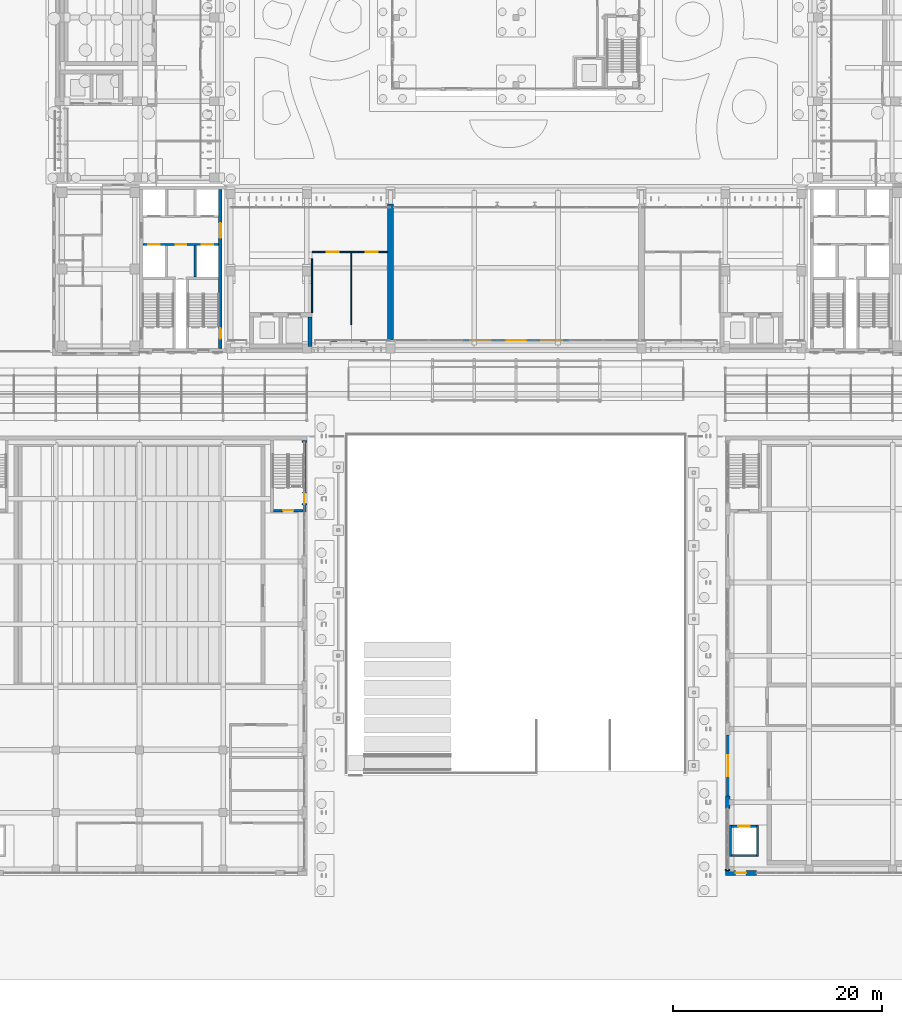
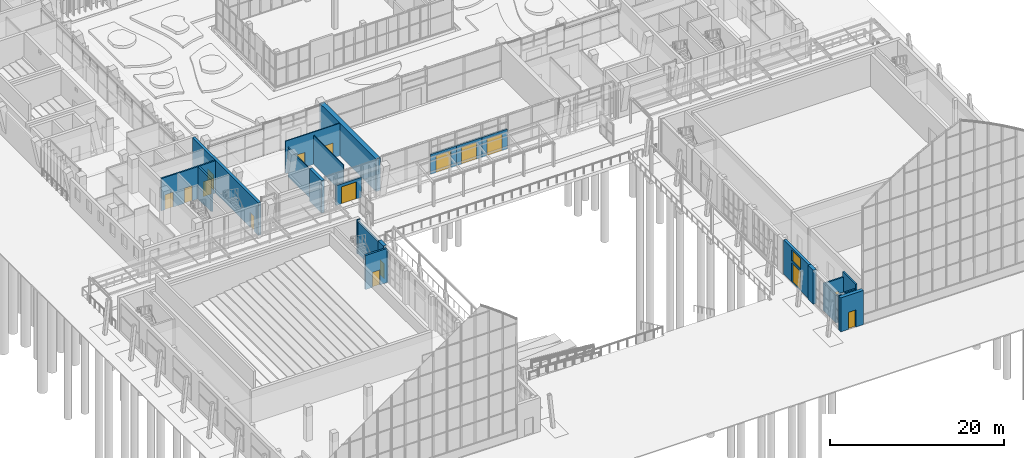
# One storey, part 104 of 144: 25 walls, 16 doors, 1 window, 17 openings.
"""IFC4 building model written with IfcOpenShell, lengths in metres."""

import ifcopenshell
import ifcopenshell.guid

model = None  # the IFC model being written
_history = None  # IfcOwnerHistory: only IFC2X3 demands one
_inside = {}  # id of a spatial element -> (the spatial element, [elements in it])
_under = {}  # id of a project, library or spatial element -> (it, [spatial elements below it])
_declared = {}  # id of a project -> (the project, [libraries it declares])
_typed = {}  # id of a type object -> (the type object, [elements of that type])
_made_of = {}  # id of a material, layer set ... -> (it, [elements and type objects made of it])


def new_model(schema):
    """Start an empty IFC model of exactly this schema.

    Asked for "IFC4X3", IfcOpenShell would pick the latest addendum, in which some entities
    have other attributes; the version numbers below select the first issue.
    IFC2X3 requires an IfcOwnerHistory on every rooted entity: one is made here for all.
    """
    global model, _history
    if schema == "IFC4X3":
        model = ifcopenshell.file(schema_version=(4, 3, 0, 0))
    else:
        model = ifcopenshell.file(schema=schema)
    _inside.clear()
    _under.clear()
    _declared.clear()
    _typed.clear()
    _made_of.clear()
    _history = None
    if model.schema == "IFC2X3":
        org = make("IfcOrganization", Name="unknown")
        user = make(
            "IfcPersonAndOrganization",
            ThePerson=make("IfcPerson", FamilyName="unknown"),
            TheOrganization=org,
        )
        app = make(
            "IfcApplication",
            ApplicationDeveloper=org,
            Version="unknown",
            ApplicationFullName="unknown",
            ApplicationIdentifier="unknown",
        )
        _history = make(
            "IfcOwnerHistory",
            OwningUser=user,
            OwningApplication=app,
            ChangeAction="ADDED",
            CreationDate=0,
        )
    return model


def make(cls, **values):
    """One entity of the class cls with the attributes given. An attribute that is None is left unset."""
    return model.create_entity(
        cls, **{name: value for name, value in values.items() if value is not None}
    )


def rooted(cls, **values):
    """An entity with a GlobalId (a new one), such as an element, a storey or a relation."""
    return make(cls, GlobalId=ifcopenshell.guid.new(), OwnerHistory=_history, **values)


def si_unit(unit_type, name, prefix=None):
    """IfcSIUnit, for example si_unit("LENGTHUNIT", "METRE", prefix="MILLI")."""
    return make("IfcSIUnit", UnitType=unit_type, Prefix=prefix, Name=name)


def assignment(units):
    """IfcUnitAssignment: the units of a project."""
    return None if units is None else make("IfcUnitAssignment", Units=units)


def point(xyz):
    """IfcCartesianPoint."""
    return None if xyz is None else make("IfcCartesianPoint", Coordinates=xyz)


def direction(xyz):
    """IfcDirection."""
    return None if xyz is None else make("IfcDirection", DirectionRatios=xyz)


def frame(location, z_axis=None, x_axis=None):
    """IfcAxis2Placement3D, a coordinate frame: its origin and axes. An axis left out is left unset."""
    return make(
        "IfcAxis2Placement3D",
        Location=point(location),
        Axis=direction(z_axis),
        RefDirection=direction(x_axis),
    )


def frame_2d(location, x_axis=None):
    """IfcAxis2Placement2D, a coordinate frame in the plane: its origin and x axis."""
    return make(
        "IfcAxis2Placement2D", Location=point(location), RefDirection=direction(x_axis)
    )


def origin():
    """The frame at (0, 0, 0) with its axes left unset."""
    return frame((0.0, 0.0, 0.0))


def place(relative_to, where):
    """IfcLocalPlacement: puts the frame where relative to a parent placement (None: the world)."""
    return make(
        "IfcLocalPlacement", PlacementRelTo=relative_to, RelativePlacement=where
    )


def context(
    kind, dimensions, precision=None, world=None, true_north=None, identifier=None
):
    """IfcGeometricRepresentationContext, for example the 3D "Model" context."""
    return make(
        "IfcGeometricRepresentationContext",
        ContextIdentifier=identifier,
        ContextType=kind,
        CoordinateSpaceDimension=dimensions,
        Precision=precision,
        WorldCoordinateSystem=world,
        TrueNorth=true_north,
    )


def subcontext(parent, identifier, kind, view, scale=None):
    """IfcGeometricRepresentationSubContext, for example "Body" below "Model"."""
    return make(
        "IfcGeometricRepresentationSubContext",
        ContextIdentifier=identifier,
        ContextType=kind,
        ParentContext=parent,
        TargetScale=scale,
        TargetView=view,
    )


def project(units=None, contexts=None):
    """IfcProject with its units and contexts."""
    return rooted(
        "IfcProject",
        Name="project",
        RepresentationContexts=contexts,
        UnitsInContext=assignment(units),
    )


def spatial(cls, under=None, at=None, **own):
    """A site, building, storey or space (cls), placed at a placement, below another one or the project."""
    s = rooted(cls, ObjectPlacement=at, **own)
    if under is not None:
        _under.setdefault(under.id(), (under, []))[1].append(s)
    return s


def profile(cls, at=None, kind="AREA", **sizes):
    """A parametric profile (cls). Its sizes go by their IFC names, for example OverallWidth=200.0."""
    return make(cls, ProfileType=kind, Position=at, **sizes)


def rectangle(**sizes):
    """IfcRectangleProfileDef."""
    return profile("IfcRectangleProfileDef", **sizes)


def extrude(swept, where, along, depth):
    """IfcExtrudedAreaSolid: the profile swept, set in the frame where, extruded along a direction by depth."""
    return make(
        "IfcExtrudedAreaSolid",
        SweptArea=swept,
        Position=where,
        ExtrudedDirection=direction(along),
        Depth=depth,
    )


def shape(context_of_items, identifier, shape_type, items):
    """IfcShapeRepresentation: the items that make up one representation, for example the "Body"."""
    return make(
        "IfcShapeRepresentation",
        ContextOfItems=context_of_items,
        RepresentationIdentifier=identifier,
        RepresentationType=shape_type,
        Items=items,
    )


def material(Name=None, Category=None):
    """IfcMaterial."""
    return make("IfcMaterial", Name=Name, Category=Category)


def layer(
    of_material, thickness, ventilated=None, Name=None, Category=None, Priority=None
):
    """IfcMaterialLayer: one layer of a wall or slab, of a material (None: an air gap)."""
    return make(
        "IfcMaterialLayer",
        Material=of_material,
        LayerThickness=thickness,
        IsVentilated=ventilated,
        Name=Name,
        Category=Category,
        Priority=Priority,
    )


def layer_set(layers, Name=None):
    """IfcMaterialLayerSet."""
    return make("IfcMaterialLayerSet", MaterialLayers=layers, LayerSetName=Name)


def made_of(thing, what):
    """Note that an element or type object is made of a material, layer set ...; save() writes the relation."""
    if what is not None:
        _made_of.setdefault(what.id(), (what, []))[1].append(thing)
    return thing


def type_object(cls, material=None, **own):
    """A type object (cls), such as IfcWallType, which elements share."""
    return made_of(rooted(cls, **own), material)


def element(
    cls,
    number,
    at=None,
    inside=None,
    cuts=None,
    type_object=None,
    material=None,
    context=None,
    identifier="Body",
    shape_type=None,
    held_by="IfcProductDefinitionShape",
    body=None,
    shapes=None,
    **own,
):
    """One element of the class cls, such as IfcWall. Its Tag is "e" and its number.

    at: its placement. inside: the storey or other place that contains it. cuts: it is an
    opening in that element (IfcRelVoidsElement). A single representation is given by context,
    identifier, shape_type and body (its items); several are given by shapes. held_by: the class
    of the entity that holds the representations. save() writes the other relations.
    """
    e = rooted(cls, Tag="e%d" % number, ObjectPlacement=at, **own)
    if body is not None:
        shapes = [shape(context, identifier, shape_type, body)]
    if shapes is not None:
        e.Representation = make(held_by, Representations=shapes)
    if inside is not None:
        _inside.setdefault(inside.id(), (inside, []))[1].append(e)
    if cuts is not None:
        rooted(
            "IfcRelVoidsElement", RelatingBuildingElement=cuts, RelatedOpeningElement=e
        )
    if type_object is not None:
        _typed.setdefault(type_object.id(), (type_object, []))[1].append(e)
    return made_of(e, material)


def fill(opening, filler):
    """IfcRelFillsElement: the door or window that sits in an opening."""
    return rooted(
        "IfcRelFillsElement",
        RelatingOpeningElement=opening,
        RelatedBuildingElement=filler,
    )


def aggregate(whole, parts):
    """IfcRelAggregates: a whole, such as a stair, and the parts it consists of."""
    return rooted("IfcRelAggregates", RelatingObject=whole, RelatedObjects=parts)


def save(model, path):
    """Write the relations noted so far, then the file.

    IfcRelAggregates (storeys below a building ...), IfcRelContainedInSpatialStructure (elements
    in a storey), IfcRelDefinesByType, IfcRelAssociatesMaterial and IfcRelDeclares: one each for
    every whole, place, type object, material and project.
    """
    for whole, parts in _under.values():
        aggregate(whole, parts)
    for where, things in _inside.values():
        rooted(
            "IfcRelContainedInSpatialStructure",
            RelatedElements=things,
            RelatingStructure=where,
        )
    for kind, things in _typed.values():
        rooted("IfcRelDefinesByType", RelatedObjects=things, RelatingType=kind)
    for what, things in _made_of.values():
        rooted("IfcRelAssociatesMaterial", RelatedObjects=things, RelatingMaterial=what)
    for by, libraries in _declared.values():
        rooted("IfcRelDeclares", RelatingContext=by, RelatedDefinitions=libraries)
    model.write(path)


model = new_model("IFC4")

# Units and contexts
model_context = context("Model", 3, precision=1e-05, world=origin(), true_north=direction((0.0, 1.0)))
body_context = subcontext(model_context, "Body", "Model", "MODEL_VIEW")
ifc_project = project(units=[si_unit("LENGTHUNIT", "METRE"), si_unit("AREAUNIT", "SQUARE_METRE"), si_unit("VOLUMEUNIT", "CUBIC_METRE"), si_unit("PLANEANGLEUNIT", "RADIAN"), si_unit("MASSUNIT", "GRAM", prefix="KILO")], contexts=[model_context])

# Site, building, storey
site_placement = place(None, origin())
site = spatial("IfcSite", under=ifc_project, at=site_placement, CompositionType="ELEMENT")
building_placement = place(site_placement, origin())
building = spatial("IfcBuilding", under=site, at=building_placement, Name="Lantern Court Media Centre", CompositionType="ELEMENT")
storey_placement = place(building_placement, origin())
storey = spatial("IfcBuildingStorey", under=building, at=storey_placement, Name="L00", CompositionType="ELEMENT", Elevation=0.0)

# Wall
ifc_material_1 = material(Name="Gypsum board partition")
ifc_layer_1 = layer(ifc_material_1, 0.125)
ifc_layer_set_1 = layer_set([ifc_layer_1], Name="Gypsum board partition")
wall_type_1 = type_object("IfcWallType", Name="Corridor partition 125", PredefinedType="PARTITIONING", material=ifc_layer_set_1)
wall_1_placement = place(storey_placement, frame((32.5, 51.800048828125, 0.0), z_axis=(0.0, 0.0, 1.0), x_axis=(0.0, 1.0, 0.0)))
element("IfcWall", 1, at=wall_1_placement, inside=storey, type_object=wall_type_1, Name="L00 partition 000", PredefinedType="PARTITIONING", context=body_context, shape_type="SweptSolid", body=[
    extrude(rectangle(XDim=5.14990234375, YDim=0.125, at=frame_2d((2.574951171875, 0.0))), origin(), (0.0, 0.0, 1.0), 4.080078125),
])

# Wall, openings, doors
wall_2_placement = place(storey_placement, frame((32.5, 57.60009765625, 0.0), z_axis=(0.0, 0.0, 1.0), x_axis=(1.0, 0.0, 0.0)))
wall_2 = element("IfcWall", 2, at=wall_2_placement, inside=storey, type_object=wall_type_1, Name="L00 partition 004", PredefinedType="PARTITIONING", context=body_context, shape_type="SweptSolid", body=[
    extrude(rectangle(XDim=7.199951171875, YDim=0.125, at=frame_2d((3.60009765625, 0.0))), origin(), (0.0, 0.0, 1.0), 4.56005859375),
])
opening_1_placement = place(wall_2_placement, frame((1.389404296875, 0.0, 0.0)))
opening_1 = element("IfcOpeningElement", 3, at=opening_1_placement, cuts=wall_2, Name="Opening L00-001", PredefinedType="OPENING", context=body_context, shape_type="SweptSolid", body=[
    extrude(rectangle(XDim=1.14990234375, YDim=2.10009765625, at=frame_2d((0.574951171875, 1.050048828125))), frame((0.0, 0.072509765625, 0.0), z_axis=(0.0, -1.0, 0.0), x_axis=(1.0, 0.0, 0.0)), (0.0, 0.0, 1.0), 0.14501953125),
])
opening_2_placement = place(wall_2_placement, frame((5.139404296875, 0.0, 0.0)))
opening_2 = element("IfcOpeningElement", 4, at=opening_2_placement, cuts=wall_2, Name="Opening L00-002", PredefinedType="OPENING", context=body_context, shape_type="SweptSolid", body=[
    extrude(rectangle(XDim=1.14990234375, YDim=2.10009765625, at=frame_2d((0.574951171875, 1.050048828125))), frame((0.0, 0.072509765625, 0.0), z_axis=(0.0, -1.0, 0.0), x_axis=(1.0, 0.0, 0.0)), (0.0, 0.0, 1.0), 0.14501953125),
])
ifc_material_2 = material(Name="Solid-core timber door leaf", Category="wood")
door_type_1 = type_object("IfcDoorType", Name="Single door 1150x2100", OperationType="NOTDEFINED", PredefinedType="DOOR", material=ifc_material_2)
door_1_placement = place(opening_1_placement, frame((1.14990234375, 0.0, 0.0), z_axis=(0.0, 0.0, 1.0), x_axis=(-1.0, 0.0, 0.0)))
door_1 = element("IfcDoor", 5, at=door_1_placement, inside=storey, type_object=door_type_1, Name="L00 Cafe door", OperationType="SINGLE_SWING_RIGHT", OverallHeight=2.10009765625, OverallWidth=1.14990234375, PredefinedType="DOOR", context=body_context, shape_type="SweptSolid", body=[
    extrude(rectangle(XDim=1.14990234375, YDim=2.10009765625, at=frame_2d((0.574951171875, 1.050048828125))), frame((0.0, 0.02490234375, 0.0), z_axis=(0.0, -1.0, 0.0), x_axis=(1.0, 0.0, 0.0)), (0.0, 0.0, 1.0), 0.050048828125),
])
fill(opening_1, door_1)
door_2_placement = place(opening_2_placement, frame((1.14990234375, 0.0, 0.0), z_axis=(0.0, 0.0, 1.0), x_axis=(-1.0, 0.0, 0.0)))
door_2 = element("IfcDoor", 6, at=door_2_placement, inside=storey, type_object=door_type_1, Name="L00 Cafe Kitchen door", OperationType="SINGLE_SWING_LEFT", OverallHeight=2.10009765625, OverallWidth=1.14990234375, PredefinedType="DOOR", context=body_context, shape_type="SweptSolid", body=[
    extrude(rectangle(XDim=1.14990234375, YDim=2.10009765625, at=frame_2d((0.574951171875, 1.050048828125))), frame((0.0, 0.02490234375, 0.0), z_axis=(0.0, -1.0, 0.0), x_axis=(1.0, 0.0, 0.0)), (0.0, 0.0, 1.0), 0.050048828125),
])
fill(opening_2, door_2)

# Wall, opening, door
ifc_material_3 = material(Name="Insulated rendered blockwork", Category="masonry")
ifc_layer_2 = layer(ifc_material_3, 0.199951171875)
ifc_layer_set_2 = layer_set([ifc_layer_2], Name="Insulated rendered blockwork")
wall_type_2 = type_object("IfcWallType", Name="Entrance bay infill wall 200", PredefinedType="SOLIDWALL", material=ifc_layer_set_2)
wall_3_placement = place(storey_placement, frame((34.300048828125, 49.14990234375, 0.0), z_axis=(0.0, 0.0, 1.0), x_axis=(1.0, 0.0, 0.0)))
wall_3 = element("IfcWall", 7, at=wall_3_placement, inside=storey, type_object=wall_type_2, Name="Entrance bay wall S outer L00", PredefinedType="SOLIDWALL", context=body_context, shape_type="SweptSolid", body=[
    extrude(rectangle(XDim=3.39990234375, YDim=0.199951171875, at=frame_2d((1.699951171875, 0.0))), origin(), (0.0, 0.0, 1.0), 2.800048828125),
])
opening_3_placement = place(wall_3_placement, frame((0.699951171875, 0.0, 0.0)))
opening_3 = element("IfcOpeningElement", 8, at=opening_3_placement, cuts=wall_3, Name="Opening XD01", PredefinedType="OPENING", context=body_context, shape_type="SweptSolid", body=[
    extrude(rectangle(XDim=2.0, YDim=2.39990234375, at=frame_2d((1.0, 1.199951171875))), frame((0.0, 0.10986328125, 0.0), z_axis=(0.0, -1.0, 0.0), x_axis=(1.0, 0.0, 0.0)), (0.0, 0.0, 1.0), 0.219970703125),
])
ifc_material_4 = material(Name="Anodised aluminium and glass", Category="aluminium")
door_type_2 = type_object("IfcDoorType", Name="Entrance double door 2000x2400", OperationType="DOUBLE_DOOR_SINGLE_SWING", PredefinedType="DOOR", material=ifc_material_4)
door_3_placement = place(opening_3_placement, origin())
door_3 = element("IfcDoor", 9, at=door_3_placement, inside=storey, type_object=door_type_2, Name="Entrance door XD01", OperationType="SINGLE_SWING_LEFT", OverallHeight=2.39990234375, OverallWidth=2.0, PredefinedType="DOOR", context=body_context, shape_type="SweptSolid", body=[
    extrude(rectangle(XDim=2.0, YDim=2.39990234375, at=frame_2d((1.0, 1.199951171875))), frame((0.0, 0.02490234375, 0.0), z_axis=(0.0, -1.0, 0.0), x_axis=(1.0, 0.0, 0.0)), (0.0, 0.0, 1.0), 0.050048828125),
])
fill(opening_3, door_3)

wall_4_placement = place(storey_placement, frame((46.89990234375, 49.14990234375, 0.0), z_axis=(0.0, 0.0, 1.0), x_axis=(1.0, 0.0, 0.0)))
wall_4 = element("IfcWall", 10, at=wall_4_placement, inside=storey, type_object=wall_type_2, Name="Entrance hall portal wall", PredefinedType="SOLIDWALL", context=body_context, shape_type="SweptSolid", body=[
    extrude(rectangle(XDim=3.400146484375, YDim=0.199951171875, at=frame_2d((1.7001953125, 0.0))), origin(), (0.0, 0.0, 1.0), 2.800048828125),
])
opening_4_placement = place(wall_4_placement, frame((0.699951171875, 0.0, 0.0)))
opening_4 = element("IfcOpeningElement", 11, at=opening_4_placement, cuts=wall_4, Name="Opening XD05", PredefinedType="OPENING", context=body_context, shape_type="SweptSolid", body=[
    extrude(rectangle(XDim=2.0, YDim=2.39990234375, at=frame_2d((1.0, 1.199951171875))), frame((0.0, 0.10986328125, 0.0), z_axis=(0.0, -1.0, 0.0), x_axis=(1.0, 0.0, 0.0)), (0.0, 0.0, 1.0), 0.219970703125),
])
door_4_placement = place(opening_4_placement, origin())
door_4 = element("IfcDoor", 12, at=door_4_placement, inside=storey, type_object=door_type_2, Name="Entrance door XD05", OperationType="SINGLE_SWING_LEFT", OverallHeight=2.39990234375, OverallWidth=2.0, PredefinedType="DOOR", context=body_context, shape_type="SweptSolid", body=[
    extrude(rectangle(XDim=2.0, YDim=2.39990234375, at=frame_2d((1.0, 1.199951171875))), frame((0.0, 0.02490234375, 0.0), z_axis=(0.0, -1.0, 0.0), x_axis=(1.0, 0.0, 0.0)), (0.0, 0.0, 1.0), 0.050048828125),
])
fill(opening_4, door_4)

wall_5_placement = place(storey_placement, frame((50.300048828125, 49.14990234375, 0.0), z_axis=(0.0, 0.0, 1.0), x_axis=(1.0, 0.0, 0.0)))
wall_5 = element("IfcWall", 13, at=wall_5_placement, inside=storey, type_object=wall_type_2, Name="Entrance hall portal wall", PredefinedType="SOLIDWALL", context=body_context, shape_type="SweptSolid", body=[
    extrude(rectangle(XDim=3.39990234375, YDim=0.199951171875, at=frame_2d((1.699951171875, 0.0))), origin(), (0.0, 0.0, 1.0), 2.800048828125),
])
opening_5_placement = place(wall_5_placement, frame((0.699951171875, 0.0, 0.0)))
opening_5 = element("IfcOpeningElement", 14, at=opening_5_placement, cuts=wall_5, Name="Opening XD06", PredefinedType="OPENING", context=body_context, shape_type="SweptSolid", body=[
    extrude(rectangle(XDim=2.0, YDim=2.39990234375, at=frame_2d((1.0, 1.199951171875))), frame((0.0, 0.10986328125, 0.0), z_axis=(0.0, -1.0, 0.0), x_axis=(1.0, 0.0, 0.0)), (0.0, 0.0, 1.0), 0.219970703125),
])
door_5_placement = place(opening_5_placement, origin())
door_5 = element("IfcDoor", 15, at=door_5_placement, inside=storey, type_object=door_type_2, Name="Entrance door XD06", OperationType="SINGLE_SWING_LEFT", OverallHeight=2.39990234375, OverallWidth=2.0, PredefinedType="DOOR", context=body_context, shape_type="SweptSolid", body=[
    extrude(rectangle(XDim=2.0, YDim=2.39990234375, at=frame_2d((1.0, 1.199951171875))), frame((0.0, 0.02490234375, 0.0), z_axis=(0.0, -1.0, 0.0), x_axis=(1.0, 0.0, 0.0)), (0.0, 0.0, 1.0), 0.050048828125),
])
fill(opening_5, door_5)

wall_6_placement = place(storey_placement, frame((53.699951171875, 49.14990234375, 0.0), z_axis=(0.0, 0.0, 1.0), x_axis=(1.0, 0.0, 0.0)))
wall_6 = element("IfcWall", 16, at=wall_6_placement, inside=storey, type_object=wall_type_2, Name="Entrance hall portal wall", PredefinedType="SOLIDWALL", context=body_context, shape_type="SweptSolid", body=[
    extrude(rectangle(XDim=3.400146484375, YDim=0.199951171875, at=frame_2d((1.7001953125, 0.0))), origin(), (0.0, 0.0, 1.0), 2.800048828125),
])
opening_6_placement = place(wall_6_placement, frame((0.699951171875, 0.0, 0.0)))
opening_6 = element("IfcOpeningElement", 17, at=opening_6_placement, cuts=wall_6, Name="Opening XD07", PredefinedType="OPENING", context=body_context, shape_type="SweptSolid", body=[
    extrude(rectangle(XDim=2.0, YDim=2.39990234375, at=frame_2d((1.0, 1.199951171875))), frame((0.0, 0.10986328125, 0.0), z_axis=(0.0, -1.0, 0.0), x_axis=(1.0, 0.0, 0.0)), (0.0, 0.0, 1.0), 0.219970703125),
])
door_6_placement = place(opening_6_placement, origin())
door_6 = element("IfcDoor", 18, at=door_6_placement, inside=storey, type_object=door_type_2, Name="Entrance door XD07", OperationType="SINGLE_SWING_LEFT", OverallHeight=2.39990234375, OverallWidth=2.0, PredefinedType="DOOR", context=body_context, shape_type="SweptSolid", body=[
    extrude(rectangle(XDim=2.0, YDim=2.39990234375, at=frame_2d((1.0, 1.199951171875))), frame((0.0, 0.02490234375, 0.0), z_axis=(0.0, -1.0, 0.0), x_axis=(1.0, 0.0, 0.0)), (0.0, 0.0, 1.0), 0.050048828125),
])
fill(opening_6, door_6)

# Wall, openings, doors
ifc_material_5 = material(Name="Concrete C40", Category="concrete")
ifc_layer_3 = layer(ifc_material_5, 0.199951171875)
ifc_layer_set_3 = layer_set([ifc_layer_3], Name="Concrete C40")
wall_type_3 = type_object("IfcWallType", Name="Fire lobby wall 200", PredefinedType="SOLIDWALL", material=ifc_layer_set_3)
wall_7_placement = place(storey_placement, frame((16.35009765625, 58.300048828125, 0.0), z_axis=(0.0, 0.0, 1.0), x_axis=(1.0, 0.0, 0.0)))
wall_7 = element("IfcWall", 19, at=wall_7_placement, inside=storey, type_object=wall_type_3, Name="L00 SW FW1", PredefinedType="SOLIDWALL", context=body_context, shape_type="SweptSolid", body=[
    extrude(rectangle(XDim=7.199951171875, YDim=0.199951171875, at=frame_2d((3.60009765625, 0.0))), origin(), (0.0, 0.0, 1.0), 4.550048828125),
])
opening_7_placement = place(wall_7_placement, frame((0.5, 0.0, 0.0)))
opening_7 = element("IfcOpeningElement", 20, at=opening_7_placement, cuts=wall_7, Name="Opening LD-SWFF-L00", PredefinedType="OPENING", context=body_context, shape_type="SweptSolid", body=[
    extrude(rectangle(XDim=1.10009765625, YDim=2.10009765625, at=frame_2d((0.550048828125, 1.050048828125))), frame((0.0, 0.10986328125, 0.0), z_axis=(0.0, -1.0, 0.0), x_axis=(1.0, 0.0, 0.0)), (0.0, 0.0, 1.0), 0.219970703125),
])
opening_8_placement = place(wall_7_placement, frame((5.60009765625, 0.0, 0.0)))
opening_8 = element("IfcOpeningElement", 21, at=opening_8_placement, cuts=wall_7, Name="Opening LD-SWP1-L00", PredefinedType="OPENING", context=body_context, shape_type="SweptSolid", body=[
    extrude(rectangle(XDim=1.10009765625, YDim=2.10009765625, at=frame_2d((0.550048828125, 1.050048828125))), frame((0.0, 0.10986328125, 0.0), z_axis=(0.0, -1.0, 0.0), x_axis=(1.0, 0.0, 0.0)), (0.0, 0.0, 1.0), 0.219970703125),
])
opening_9_placement = place(wall_7_placement, frame((3.10009765625, 0.0, 0.0)))
opening_9 = element("IfcOpeningElement", 22, at=opening_9_placement, cuts=wall_7, Name="Opening SW-L00-05", PredefinedType="OPENING", context=body_context, shape_type="SweptSolid", body=[
    extrude(rectangle(XDim=1.0, YDim=2.10009765625, at=frame_2d((0.5, 1.050048828125))), frame((0.0, 0.10986328125, 0.0), z_axis=(0.0, -1.0, 0.0), x_axis=(1.0, 0.0, 0.0)), (0.0, 0.0, 1.0), 0.219970703125),
])
ifc_material_6 = material(Name="Steel door leaf", Category="steel")
door_type_3 = type_object("IfcDoorType", Name="Lift landing door 1100x2100", OperationType="DOUBLE_DOOR_SLIDING", PredefinedType="DOOR", material=ifc_material_6)
door_7_placement = place(opening_7_placement, origin())
door_7 = element("IfcDoor", 23, at=door_7_placement, inside=storey, type_object=door_type_3, Name="L00 SW lift FF landing door", OperationType="DOUBLE_DOOR_SLIDING", OverallHeight=2.10009765625, OverallWidth=1.10009765625, PredefinedType="DOOR", context=body_context, shape_type="SweptSolid", body=[
    extrude(rectangle(XDim=1.10009765625, YDim=2.10009765625, at=frame_2d((0.550048828125, 1.050048828125))), frame((0.0, 0.02490234375, 0.0), z_axis=(0.0, -1.0, 0.0), x_axis=(1.0, 0.0, 0.0)), (0.0, 0.0, 1.0), 0.050048828125),
])
fill(opening_7, door_7)
door_8_placement = place(opening_8_placement, origin())
door_8 = element("IfcDoor", 24, at=door_8_placement, inside=storey, type_object=door_type_3, Name="L00 SW lift P1 landing door", OperationType="DOUBLE_DOOR_SLIDING", OverallHeight=2.10009765625, OverallWidth=1.10009765625, PredefinedType="DOOR", context=body_context, shape_type="SweptSolid", body=[
    extrude(rectangle(XDim=1.10009765625, YDim=2.10009765625, at=frame_2d((0.550048828125, 1.050048828125))), frame((0.0, 0.02490234375, 0.0), z_axis=(0.0, -1.0, 0.0), x_axis=(1.0, 0.0, 0.0)), (0.0, 0.0, 1.0), 0.050048828125),
])
fill(opening_8, door_8)
door_type_4 = type_object("IfcDoorType", Name="Service door 1000x2100", OperationType="NOTDEFINED", PredefinedType="DOOR", material=ifc_material_6)
door_9_placement = place(opening_9_placement, origin())
door_9 = element("IfcDoor", 25, at=door_9_placement, inside=storey, type_object=door_type_4, Name="L00 SW services riser door", OperationType="SINGLE_SWING_LEFT", OverallHeight=2.10009765625, OverallWidth=1.0, PredefinedType="DOOR", context=body_context, shape_type="SweptSolid", body=[
    extrude(rectangle(XDim=1.0, YDim=2.10009765625, at=frame_2d((0.5, 1.050048828125))), frame((0.0, 0.02490234375, 0.0), z_axis=(0.0, -1.0, 0.0), x_axis=(1.0, 0.0, 0.0)), (0.0, 0.0, 1.0), 0.050048828125),
])
fill(opening_9, door_9)

# Wall, openings, door, window
ifc_material_7 = material(Name="Limestone masonry, insulated", Category="masonry")
ifc_layer_4 = layer(ifc_material_7, 0.35009765625)
ifc_layer_set_4 = layer_set([ifc_layer_4], Name="Limestone masonry, insulated")
wall_type_4 = type_object("IfcWallType", Name="Hall entrance portal wall, stone-faced masonry 350", PredefinedType="SOLIDWALL", material=ifc_layer_set_4)
wall_8_placement = place(storey_placement, frame((72.27490234375, 5.60009765625, 0.0), z_axis=(0.0, 0.0, 1.0), x_axis=(0.0, 1.0, 0.0)))
wall_8 = element("IfcWall", 26, at=wall_8_placement, inside=storey, type_object=wall_type_4, Name="Studio Hall entrance bay 2", PredefinedType="SOLIDWALL", context=body_context, shape_type="SweptSolid", body=[
    extrude(rectangle(XDim=5.7998046875, YDim=0.35009765625, at=frame_2d((2.89990234375, 0.0))), origin(), (0.0, 0.0, 1.0), 4.800048828125),
])
opening_10_placement = place(wall_8_placement, frame((1.89990234375, 0.0, 0.0)))
opening_10 = element("IfcOpeningElement", 27, at=opening_10_placement, cuts=wall_8, Name="Opening D-V201", PredefinedType="OPENING", context=body_context, shape_type="SweptSolid", body=[
    extrude(rectangle(XDim=2.0, YDim=2.699951171875, at=frame_2d((1.0, 1.35009765625))), frame((0.0, 0.18505859375, 0.0), z_axis=(0.0, -1.0, 0.0), x_axis=(1.0, 0.0, 0.0)), (0.0, 0.0, 1.0), 0.3701171875),
])
opening_11_placement = place(wall_8_placement, frame((1.89990234375, 0.0, 3.0)))
opening_11 = element("IfcOpeningElement", 28, at=opening_11_placement, cuts=wall_8, Name="Opening HWN4", PredefinedType="OPENING", context=body_context, shape_type="SweptSolid", body=[
    extrude(rectangle(XDim=2.0, YDim=1.5, at=frame_2d((1.0, 0.75))), frame((0.0, 0.18505859375, 0.0), z_axis=(0.0, -1.0, 0.0), x_axis=(1.0, 0.0, 0.0)), (0.0, 0.0, 1.0), 0.3701171875),
])
ifc_material_8 = material(Name="Aluminium and laminated glass", Category="aluminium")
door_type_5 = type_object("IfcDoorType", Name="Studio hall entrance door, double leaf", OperationType="DOUBLE_DOOR_DOUBLE_SWING", PredefinedType="DOOR", material=ifc_material_8)
door_10_placement = place(opening_10_placement, origin())
door_10 = element("IfcDoor", 29, at=door_10_placement, inside=storey, type_object=door_type_5, Name="Studio Hall entrance 1", OperationType="SINGLE_SWING_LEFT", OverallHeight=2.699951171875, OverallWidth=2.0, PredefinedType="DOOR", context=body_context, shape_type="SweptSolid", body=[
    extrude(rectangle(XDim=2.0, YDim=2.699951171875, at=frame_2d((1.0, 1.35009765625))), frame((0.0, 0.02490234375, 0.0), z_axis=(0.0, -1.0, 0.0), x_axis=(1.0, 0.0, 0.0)), (0.0, 0.0, 1.0), 0.050048828125),
])
fill(opening_10, door_10)
ifc_material_9 = material(Name="Aluminium and acoustic laminated glass", Category="aluminium")
window_type = type_object("IfcWindowType", Name="Studio hall entrance fanlight 2000 x 1500", PartitioningType="SINGLE_PANEL", PredefinedType="WINDOW", material=ifc_material_9)
window_placement = place(opening_11_placement, origin())
window = element("IfcWindow", 30, at=window_placement, inside=storey, type_object=window_type, Name="Studio Hall entrance fanlight 2", OverallHeight=1.5, OverallWidth=2.0, PartitioningType="SINGLE_PANEL", PredefinedType="WINDOW", context=body_context, shape_type="SweptSolid", body=[
    extrude(rectangle(XDim=2.0, YDim=1.5, at=frame_2d((1.0, 0.75))), frame((0.0, 0.030029296875, 0.0), z_axis=(0.0, -1.0, 0.0), x_axis=(1.0, 0.0, 0.0)), (0.0, 0.0, 1.0), 0.06005859375),
])
fill(opening_11, window)

# Wall, opening, door
ifc_layer_5 = layer(ifc_material_7, 0.449951171875)
ifc_layer_set_5 = layer_set([ifc_layer_5], Name="Limestone masonry, insulated")
wall_type_5 = type_object("IfcWallType", Name="Hall wall, stone-faced masonry 450", PredefinedType="SOLIDWALL", material=ifc_layer_set_5)
wall_9_placement = place(storey_placement, frame((31.77490234375, 33.39990234375, 0.0), z_axis=(0.0, 0.0, 1.0), x_axis=(0.0, 1.0, 0.0)))
wall_9 = element("IfcWall", 31, at=wall_9_placement, inside=storey, type_object=wall_type_5, Name="Cinema Hall forecourt pier 7", PredefinedType="SOLIDWALL", context=body_context, shape_type="SweptSolid", body=[
    extrude(rectangle(XDim=1.2001953125, YDim=0.449951171875, at=frame_2d((0.60009765625, 0.0))), origin(), (0.0, 0.0, 1.0), 4.800048828125),
])
opening_12_placement = place(wall_9_placement, frame((0.14990234375, 0.0, 0.0)))
opening_12 = element("IfcOpeningElement", 32, at=opening_12_placement, cuts=wall_9, Name="Opening V1-ST-E-L00-02E", PredefinedType="OPENING", context=body_context, shape_type="SweptSolid", body=[
    extrude(rectangle(XDim=1.0, YDim=2.10009765625, at=frame_2d((0.5, 1.050048828125))), frame((0.0, 0.23486328125, 0.0), z_axis=(0.0, -1.0, 0.0), x_axis=(1.0, 0.0, 0.0)), (0.0, 0.0, 1.0), 0.469970703125),
])
door_type_6 = type_object("IfcDoorType", Name="Stair exit door 1000x2100", OperationType="NOTDEFINED", PredefinedType="DOOR", material=ifc_material_6)
door_11_placement = place(opening_12_placement, frame((1.0, 0.0, 0.0), z_axis=(0.0, 0.0, 1.0), x_axis=(-1.0, 0.0, 0.0)))
door_11 = element("IfcDoor", 33, at=door_11_placement, inside=storey, type_object=door_type_6, Name="L00 V1-ST-E stair exit door", OperationType="SINGLE_SWING_RIGHT", OverallHeight=2.10009765625, OverallWidth=1.0, PredefinedType="DOOR", context=body_context, shape_type="SweptSolid", body=[
    extrude(rectangle(XDim=1.0, YDim=2.10009765625, at=frame_2d((0.5, 1.050048828125))), frame((0.0, 0.02490234375, 0.0), z_axis=(0.0, -1.0, 0.0), x_axis=(1.0, 0.0, 0.0)), (0.0, 0.0, 1.0), 0.050048828125),
])
fill(opening_12, door_11)

# Walls
for number, where, z_axis, x_axis, name in (
    (34, (31.77490234375, 39.39990234375, 0.0), (0.0, 0.0, 1.0), (0.0, 1.0, 0.0), "Cinema Hall forecourt pier 8"),
    (35, (72.22509765625, -1.550048828125, 0.0), (0.0, 0.0, 1.0), (0.0, 1.0, 0.0), "Studio Hall forecourt pier 1"),
):
    element("IfcWall", number, at=place(storey_placement, frame(where, z_axis=z_axis, x_axis=x_axis)), inside=storey, type_object=wall_type_5, Name=name, PredefinedType="SOLIDWALL", context=body_context, shape_type="SweptSolid", body=[
        extrude(rectangle(XDim=0.150146484375, YDim=0.449951171875, at=frame_2d((0.0751953125, 0.0))), origin(), (0.0, 0.0, 1.0), 4.800048828125),
    ])
wall_10_placement = place(storey_placement, frame((72.22509765625, 4.39990234375, 0.0), z_axis=(0.0, 0.0, 1.0), x_axis=(0.0, 1.0, 0.0)))
element("IfcWall", 36, at=wall_10_placement, inside=storey, type_object=wall_type_5, Name="Studio Hall forecourt pier 2", PredefinedType="SOLIDWALL", context=body_context, shape_type="SweptSolid", body=[
    extrude(rectangle(XDim=1.2001953125, YDim=0.449951171875, at=frame_2d((0.60009765625, 0.0))), origin(), (0.0, 0.0, 1.0), 4.800048828125),
])

# Wall, opening, door
wall_11_placement = place(storey_placement, frame((72.0, -1.77490234375, 0.0), z_axis=(0.0, 0.0, 1.0), x_axis=(1.0, 0.0, 0.0)))
wall_11 = element("IfcWall", 37, at=wall_11_placement, inside=storey, type_object=wall_type_5, Name="Studio Hall south gable L00", PredefinedType="SOLIDWALL", context=body_context, shape_type="SweptSolid", body=[
    extrude(rectangle(XDim=3.0, YDim=0.449951171875, at=frame_2d((1.5, 0.0))), origin(), (0.0, 0.0, 1.0), 4.800048828125),
])
opening_13_placement = place(wall_11_placement, frame((1.0, 0.0, 0.0)))
opening_13 = element("IfcOpeningElement", 38, at=opening_13_placement, cuts=wall_11, Name="Opening D-V221", PredefinedType="OPENING", context=body_context, shape_type="SweptSolid", body=[
    extrude(rectangle(XDim=1.0, YDim=2.39990234375, at=frame_2d((0.5, 1.199951171875))), frame((0.0, 0.23486328125, 0.0), z_axis=(0.0, -1.0, 0.0), x_axis=(1.0, 0.0, 0.0)), (0.0, 0.0, 1.0), 0.469970703125),
])
ifc_material_10 = material(Name="Steel, powder-coated", Category="steel")
door_type_7 = type_object("IfcDoorType", Name="Studio hall gable exit door, steel single leaf", OperationType="SINGLE_SWING_LEFT", PredefinedType="DOOR", material=ifc_material_10)
door_12_placement = place(opening_13_placement, origin())
door_12 = element("IfcDoor", 39, at=door_12_placement, inside=storey, type_object=door_type_7, Name="Studio Hall exit 1", OperationType="SINGLE_SWING_LEFT", OverallHeight=2.39990234375, OverallWidth=1.0, PredefinedType="DOOR", context=body_context, shape_type="SweptSolid", body=[
    extrude(rectangle(XDim=1.0, YDim=2.39990234375, at=frame_2d((0.5, 1.199951171875))), frame((0.0, 0.02490234375, 0.0), z_axis=(0.0, -1.0, 0.0), x_axis=(1.0, 0.0, 0.0)), (0.0, 0.0, 1.0), 0.050048828125),
])
fill(opening_13, door_12)

# Wall
ifc_layer_6 = layer(ifc_material_1, 0.10009765625)
ifc_layer_set_6 = layer_set([ifc_layer_6], Name="Gypsum board partition")
wall_type_6 = type_object("IfcWallType", Name="Partition 100", PredefinedType="PARTITIONING", material=ifc_layer_set_6)
wall_12_placement = place(storey_placement, frame((36.25, 50.655029296875, 0.0), z_axis=(0.0, 0.0, 1.0), x_axis=(0.0, 1.0, 0.0)))
element("IfcWall", 40, at=wall_12_placement, inside=storey, type_object=wall_type_6, Name="L00 partition 003", PredefinedType="PARTITIONING", context=body_context, shape_type="SweptSolid", body=[
    extrude(rectangle(XDim=6.882568359375, YDim=0.10009765625, at=frame_2d((3.44140625, 0.0))), origin(), (0.0, 0.0, 1.0), 4.080078125),
])

# Wall, openings, doors
ifc_layer_7 = layer(ifc_material_5, 0.35009765625)
ifc_layer_set_7 = layer_set([ifc_layer_7], Name="Concrete C40")
wall_type_7 = type_object("IfcWallType", Name="RC CORE WALL 350", PredefinedType="SHEAR", material=ifc_layer_set_7)
wall_13_placement = place(storey_placement, frame((23.72509765625, 48.35009765625, 0.0), z_axis=(0.0, 0.0, 1.0), x_axis=(0.0, 1.0, 0.0)))
wall_13 = element("IfcWall", 41, at=wall_13_placement, inside=storey, type_object=wall_type_7, Name="WC-SW-L00-E", PredefinedType="SHEAR", context=body_context, shape_type="SweptSolid", body=[
    extrude(rectangle(XDim=15.199951171875, YDim=0.35009765625, at=frame_2d((7.60009765625, 0.0))), origin(), (0.0, 0.0, 1.0), 4.580078125),
])
opening_14_placement = place(wall_13_placement, frame((0.949951171875, 0.0, 0.0)))
opening_14 = element("IfcOpeningElement", 42, at=opening_14_placement, cuts=wall_13, Name="Opening SW-L00-02", PredefinedType="OPENING", context=body_context, shape_type="SweptSolid", body=[
    extrude(rectangle(XDim=1.0, YDim=2.10009765625, at=frame_2d((0.5, 1.050048828125))), frame((0.0, 0.18505859375, 0.0), z_axis=(0.0, -1.0, 0.0), x_axis=(1.0, 0.0, 0.0)), (0.0, 0.0, 1.0), 0.3701171875),
])
opening_15_placement = place(wall_13_placement, frame((10.60009765625, 0.0, 0.0)))
opening_15 = element("IfcOpeningElement", 43, at=opening_15_placement, cuts=wall_13, Name="Opening SW-L00-08", PredefinedType="OPENING", context=body_context, shape_type="SweptSolid", body=[
    extrude(rectangle(XDim=1.39990234375, YDim=2.10009765625, at=frame_2d((0.699951171875, 1.050048828125))), frame((0.0, 0.18505859375, 0.0), z_axis=(0.0, -1.0, 0.0), x_axis=(1.0, 0.0, 0.0)), (0.0, 0.0, 1.0), 0.3701171875),
])
door_type_8 = type_object("IfcDoorType", Name="Lift lobby double door 1400x2100", OperationType="NOTDEFINED", PredefinedType="DOOR", material=ifc_material_6)
door_13_placement = place(opening_15_placement, frame((1.39990234375, 0.0, 0.0), z_axis=(0.0, 0.0, 1.0), x_axis=(-1.0, 0.0, 0.0)))
door_13 = element("IfcDoor", 44, at=door_13_placement, inside=storey, type_object=door_type_8, Name="L00 SW lift lobby east door", OperationType="SINGLE_SWING_RIGHT", OverallHeight=2.10009765625, OverallWidth=1.39990234375, PredefinedType="DOOR", context=body_context, shape_type="SweptSolid", body=[
    extrude(rectangle(XDim=1.39990234375, YDim=2.10009765625, at=frame_2d((0.699951171875, 1.050048828125))), frame((0.0, 0.02490234375, 0.0), z_axis=(0.0, -1.0, 0.0), x_axis=(1.0, 0.0, 0.0)), (0.0, 0.0, 1.0), 0.050048828125),
])
fill(opening_15, door_13)
door_type_9 = type_object("IfcDoorType", Name="Stair door 1000x2100", OperationType="NOTDEFINED", PredefinedType="DOOR", material=ifc_material_6)
door_14_placement = place(opening_14_placement, frame((1.0, 0.0, 0.0), z_axis=(0.0, 0.0, 1.0), x_axis=(-1.0, 0.0, 0.0)))
door_14 = element("IfcDoor", 45, at=door_14_placement, inside=storey, type_object=door_type_9, Name="L00 SW stair B door", OperationType="SINGLE_SWING_RIGHT", OverallHeight=2.10009765625, OverallWidth=1.0, PredefinedType="DOOR", context=body_context, shape_type="SweptSolid", body=[
    extrude(rectangle(XDim=1.0, YDim=2.10009765625, at=frame_2d((0.5, 1.050048828125))), frame((0.0, 0.02490234375, 0.0), z_axis=(0.0, -1.0, 0.0), x_axis=(1.0, 0.0, 0.0)), (0.0, 0.0, 1.0), 0.050048828125),
])
fill(opening_14, door_14)

# Walls
ifc_layer_8 = layer(ifc_material_5, 0.39990234375)
ifc_layer_set_8 = layer_set([ifc_layer_8], Name="Concrete C40")
wall_type_8 = type_object("IfcWallType", Name="RC SHEAR WALL 400", PredefinedType="SHEAR", material=ifc_layer_set_8)
wall_14_placement = place(storey_placement, frame((32.300048828125, 48.5478515625, 0.0), z_axis=(0.0, 0.0, 1.0), x_axis=(0.0, 1.0, 0.0)))
element("IfcWall", 46, at=wall_14_placement, inside=storey, type_object=wall_type_8, Name="WB-S-LC1-L00-E", PredefinedType="SHEAR", context=body_context, shape_type="SweptSolid", body=[
    extrude(rectangle(XDim=2.85205078125, YDim=0.39990234375, at=frame_2d((1.426025390625, 0.0))), origin(), (0.0, 0.0, 1.0), 4.580078125),
])
ifc_layer_9 = layer(ifc_material_5, 0.60009765625)
ifc_layer_set_9 = layer_set([ifc_layer_9], Name="Concrete C40")
wall_type_9 = type_object("IfcWallType", Name="RC SHEAR WALL 600", PredefinedType="SHEAR", material=ifc_layer_set_9)
wall_15_placement = place(storey_placement, frame((40.0, 49.199951171875, 0.0), z_axis=(0.0, 0.0, 1.0), x_axis=(0.0, 1.0, 0.0)))
element("IfcWall", 47, at=wall_15_placement, inside=storey, type_object=wall_type_9, Name="WF-S-40-L00-W", PredefinedType="SHEAR", context=body_context, shape_type="SweptSolid", body=[
    extrude(rectangle(XDim=13.0, YDim=0.60009765625, at=frame_2d((6.5, 0.0))), origin(), (0.0, 0.0, 1.0), 4.580078125),
])
ifc_layer_10 = layer(ifc_material_5, 0.199951171875)
ifc_layer_set_10 = layer_set([ifc_layer_10], Name="Concrete C40")
wall_type_10 = type_object("IfcWallType", Name="RC lift shaft wall 200", PredefinedType="SOLIDWALL", material=ifc_layer_set_10)
wall_16_placement = place(storey_placement, frame((72.5, -0.199951171875, 0.0), z_axis=(0.0, 0.0, 1.0), x_axis=(0.0, 1.0, 0.0)))
element("IfcWall", 48, at=wall_16_placement, inside=storey, type_object=wall_type_10, Name="L00 V2-LIFT shaft wall W", PredefinedType="SOLIDWALL", context=body_context, shape_type="SweptSolid", body=[
    extrude(rectangle(XDim=3.0, YDim=0.199951171875, at=frame_2d((1.5, 0.0))), origin(), (0.0, 0.0, 1.0), 3.8798828125),
])
wall_17_placement = place(storey_placement, frame((75.10009765625, -0.199951171875, 0.0), z_axis=(0.0, 0.0, 1.0), x_axis=(0.0, 1.0, 0.0)))
element("IfcWall", 49, at=wall_17_placement, inside=storey, type_object=wall_type_10, Name="L00 V2-LIFT shaft wall E", PredefinedType="SOLIDWALL", context=body_context, shape_type="SweptSolid", body=[
    extrude(rectangle(XDim=3.0, YDim=0.199951171875, at=frame_2d((1.5, 0.0))), origin(), (0.0, 0.0, 1.0), 4.550048828125),
])
wall_18_placement = place(storey_placement, frame((72.60009765625, -0.10009765625, 0.0), z_axis=(0.0, 0.0, 1.0), x_axis=(1.0, 0.0, 0.0)))
element("IfcWall", 50, at=wall_18_placement, inside=storey, type_object=wall_type_10, Name="L00 V2-LIFT shaft wall S", PredefinedType="SOLIDWALL", context=body_context, shape_type="SweptSolid", body=[
    extrude(rectangle(XDim=2.39990234375, YDim=0.199951171875, at=frame_2d((1.199951171875, 0.0))), origin(), (0.0, 0.0, 1.0), 3.8798828125),
])

# Wall, opening, door
wall_19_placement = place(storey_placement, frame((72.60009765625, 2.699951171875, 0.0), z_axis=(0.0, 0.0, 1.0), x_axis=(1.0, 0.0, 0.0)))
wall_19 = element("IfcWall", 51, at=wall_19_placement, inside=storey, type_object=wall_type_10, Name="L00 V2-LIFT shaft wall N", PredefinedType="SOLIDWALL", context=body_context, shape_type="SweptSolid", body=[
    extrude(rectangle(XDim=2.39990234375, YDim=0.199951171875, at=frame_2d((1.199951171875, 0.0))), origin(), (0.0, 0.0, 1.0), 3.8798828125),
])
opening_16_placement = place(wall_19_placement, frame((0.64990234375, 0.0, 0.0)))
opening_16 = element("IfcOpeningElement", 52, at=opening_16_placement, cuts=wall_19, Name="Opening LD-V2-LIFT-L00", PredefinedType="OPENING", context=body_context, shape_type="SweptSolid", body=[
    extrude(rectangle(XDim=1.10009765625, YDim=2.10009765625, at=frame_2d((0.550048828125, 1.050048828125))), frame((0.0, 0.10986328125, 0.0), z_axis=(0.0, -1.0, 0.0), x_axis=(1.0, 0.0, 0.0)), (0.0, 0.0, 1.0), 0.219970703125),
])
door_15_placement = place(opening_16_placement, origin())
door_15 = element("IfcDoor", 53, at=door_15_placement, inside=storey, type_object=door_type_3, Name="L00 V2-LIFT lift landing door", OperationType="DOUBLE_DOOR_SLIDING", OverallHeight=2.10009765625, OverallWidth=1.10009765625, PredefinedType="DOOR", context=body_context, shape_type="SweptSolid", body=[
    extrude(rectangle(XDim=1.10009765625, YDim=2.10009765625, at=frame_2d((0.550048828125, 1.050048828125))), frame((0.0, 0.02490234375, 0.0), z_axis=(0.0, -1.0, 0.0), x_axis=(1.0, 0.0, 0.0)), (0.0, 0.0, 1.0), 0.050048828125),
])
fill(opening_16, door_15)

# Walls
ifc_layer_11 = layer(ifc_material_5, 0.25)
ifc_layer_set_11 = layer_set([ifc_layer_11], Name="Concrete C40")
wall_type_11 = type_object("IfcWallType", Name="RC lift shaft wall 250", PredefinedType="SOLIDWALL", material=ifc_layer_set_11)
wall_20_placement = place(storey_placement, frame((21.324951171875, 55.199951171875, 0.0), z_axis=(0.0, 0.0, 1.0), x_axis=(0.0, 1.0, 0.0)))
element("IfcWall", 54, at=wall_20_placement, inside=storey, type_object=wall_type_11, Name="L00 SW L2a", PredefinedType="SOLIDWALL", context=body_context, shape_type="SweptSolid", body=[
    extrude(rectangle(XDim=3.0, YDim=0.25, at=frame_2d((1.5, 0.0))), origin(), (0.0, 0.0, 1.0), 4.550048828125),
])
ifc_layer_12 = layer(ifc_material_5, 0.25)
ifc_layer_set_12 = layer_set([ifc_layer_12], Name="Concrete C40")
wall_type_12 = type_object("IfcWallType", Name="RC stair shaft wall 250", PredefinedType="SOLIDWALL", material=ifc_layer_set_12)
wall_21_placement = place(storey_placement, frame((31.77490234375, 32.75, 0.0), z_axis=(0.0, 0.0, 1.0), x_axis=(0.0, 1.0, 0.0)))
element("IfcWall", 55, at=wall_21_placement, inside=storey, type_object=wall_type_12, Name="L00 V1-ST-E shaft wall E", PredefinedType="SOLIDWALL", context=body_context, shape_type="SweptSolid", body=[
    extrude(rectangle(XDim=0.64990234375, YDim=0.25, at=frame_2d((0.324951171875, 0.0))), origin(), (0.0, 0.0, 1.0), 4.530029296875),
])
wall_22_placement = place(storey_placement, frame((31.77490234375, 34.60009765625, 0.0), z_axis=(0.0, 0.0, 1.0), x_axis=(0.0, 1.0, 0.0)))
element("IfcWall", 56, at=wall_22_placement, inside=storey, type_object=wall_type_12, Name="L00 V1-ST-E shaft wall E", PredefinedType="SOLIDWALL", context=body_context, shape_type="SweptSolid", body=[
    extrude(rectangle(XDim=4.7998046875, YDim=0.25, at=frame_2d((2.39990234375, 0.0))), origin(), (0.0, 0.0, 1.0), 4.530029296875),
])

# Wall, opening, door
wall_23_placement = place(storey_placement, frame((28.800048828125, 32.875, 0.0), z_axis=(0.0, 0.0, 1.0), x_axis=(1.0, 0.0, 0.0)))
wall_23 = element("IfcWall", 57, at=wall_23_placement, inside=storey, type_object=wall_type_12, Name="L00 V1-ST-E shaft wall S", PredefinedType="SOLIDWALL", context=body_context, shape_type="SweptSolid", body=[
    extrude(rectangle(XDim=2.849853515625, YDim=0.25, at=frame_2d((1.4248046875, 0.0))), origin(), (0.0, 0.0, 1.0), 4.800048828125),
])
opening_17_placement = place(wall_23_placement, frame((0.925048828125, 0.0, 0.0)))
opening_17 = element("IfcOpeningElement", 58, at=opening_17_placement, cuts=wall_23, Name="Opening V1-ST-E-L00-01", PredefinedType="OPENING", context=body_context, shape_type="SweptSolid", body=[
    extrude(rectangle(XDim=1.0, YDim=2.10009765625, at=frame_2d((0.5, 1.050048828125))), frame((0.0, 0.135009765625, 0.0), z_axis=(0.0, -1.0, 0.0), x_axis=(1.0, 0.0, 0.0)), (0.0, 0.0, 1.0), 0.27001953125),
])
door_16_placement = place(opening_17_placement, frame((1.0, 0.0, 0.0), z_axis=(0.0, 0.0, 1.0), x_axis=(-1.0, 0.0, 0.0)))
door_16 = element("IfcDoor", 59, at=door_16_placement, inside=storey, type_object=door_type_9, Name="L00 V1-ST-E stair door", OperationType="SINGLE_SWING_RIGHT", OverallHeight=2.10009765625, OverallWidth=1.0, PredefinedType="DOOR", context=body_context, shape_type="SweptSolid", body=[
    extrude(rectangle(XDim=1.0, YDim=2.10009765625, at=frame_2d((0.5, 1.050048828125))), frame((0.0, 0.02490234375, 0.0), z_axis=(0.0, -1.0, 0.0), x_axis=(1.0, 0.0, 0.0)), (0.0, 0.0, 1.0), 0.050048828125),
])
fill(opening_17, door_16)

save(model, "model.ifc")
